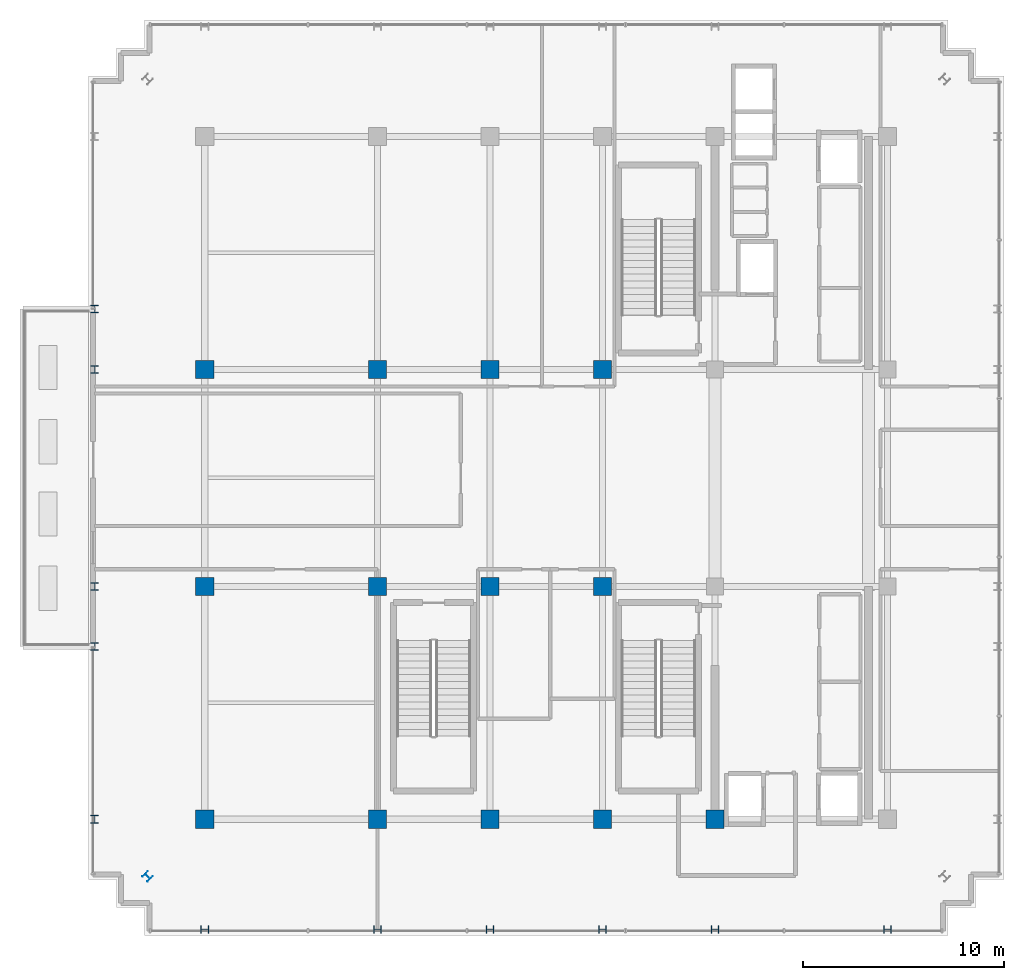
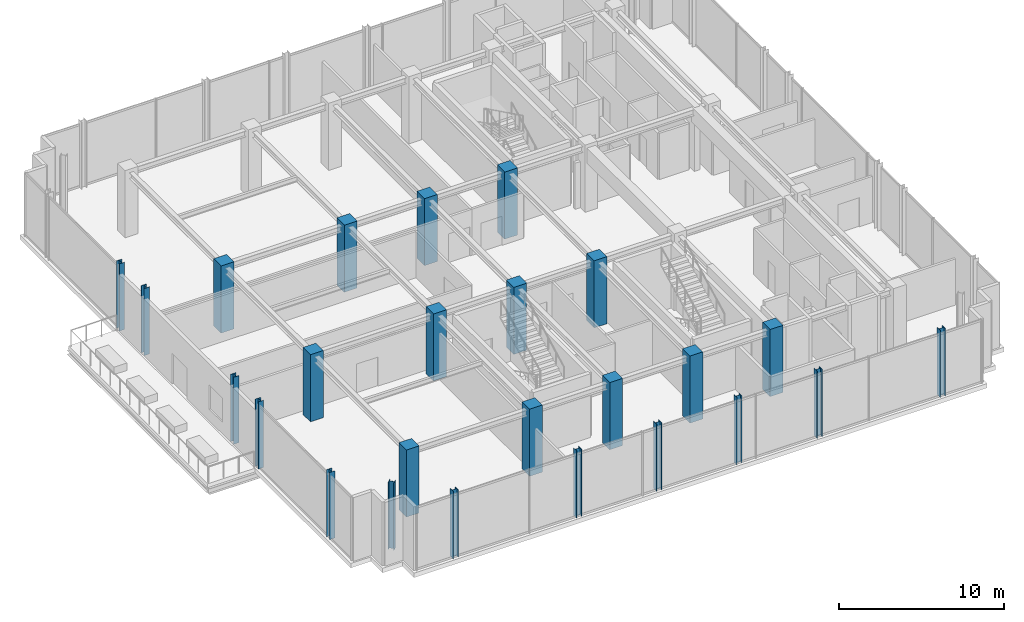
# One storey, part 1 of 28: 25 columns.
"""IFC4 building model written with IfcOpenShell, lengths in metres."""

from ifc_helpers import new_model, si_unit, direction, frame, origin, origin_2d, place, context, subcontext, project, spatial, rectangle, i_section, extrude, source, transform, mapped, material, material_profile, profile_set, type_object, element, save


model = new_model("IFC4")

# Units and contexts
model_context = context("Model", 3, precision=1e-05, world=origin(), true_north=direction((0.0, 1.0)))
body_context = subcontext(model_context, "Body", "Model", "MODEL_VIEW")
ifc_project = project(units=[si_unit("LENGTHUNIT", "METRE"), si_unit("AREAUNIT", "SQUARE_METRE"), si_unit("VOLUMEUNIT", "CUBIC_METRE"), si_unit("PLANEANGLEUNIT", "RADIAN"), si_unit("MASSUNIT", "GRAM", prefix="KILO")], contexts=[model_context])

# Site, building, storey
site_placement = place(None, origin())
site = spatial("IfcSite", under=ifc_project, at=site_placement, CompositionType="ELEMENT")
building_placement = place(site_placement, origin())
building = spatial("IfcBuilding", under=site, at=building_placement, Name="Nahalor Promenade Grand Hotel", CompositionType="ELEMENT")
storey_placement = place(building_placement, frame((0.0, 0.0, 352.050048828125)))
storey = spatial("IfcBuildingStorey", under=building, at=storey_placement, Name="L90", CompositionType="ELEMENT", Elevation=352.050048828125)

# Columns
ifc_material_1 = material(Name="Concrete B-50 (C40/50)", Category="concrete")
ifc_material_profile_1 = material_profile(ifc_material_1, rectangle(XDim=0.9, YDim=0.9, at=origin_2d()), Name="RC 900x900")
ifc_profile_set_1 = profile_set([ifc_material_profile_1], Name="Concrete B-50 (C40/50)")
column_type_1 = type_object("IfcColumnType", Name="Col-RC-900", PredefinedType="COLUMN", material=ifc_profile_set_1)
shared_shape_1 = source(origin(), body_context, "Body", "SweptSolid", [
    extrude(rectangle(XDim=0.9, YDim=0.9, at=origin_2d()), origin(), (0.0, 0.0, 1.0), 4.954833984375),
])
for number, where, z_axis, x_axis, name in (
    (1, (-17.0, -17.0, 0.0), (0.0, 0.0, 1.0), (1.0, 0.0, 0.0), "COL-L90-I00"),
    (2, (-17.0, -5.39990234375, 0.0), (0.0, 0.0, 1.0), (1.0, 0.0, 0.0), "COL-L90-I01"),
    (3, (-17.0, 5.39990234375, 0.0), (0.0, 0.0, 1.0), (1.0, 0.0, 0.0), "COL-L90-I02"),
    (4, (-8.39990234375, -17.0, 0.0), (0.0, 0.0, 1.0), (1.0, 0.0, 0.0), "COL-L90-I10"),
    (5, (-8.39990234375, -5.39990234375, 0.0), (0.0, 0.0, 1.0), (1.0, 0.0, 0.0), "COL-L90-I11"),
    (6, (-8.39990234375, 5.39990234375, 0.0), (0.0, 0.0, 1.0), (1.0, 0.0, 0.0), "COL-L90-I12"),
    (7, (-2.800048828125, -17.0, 0.0), (0.0, 0.0, 1.0), (1.0, 0.0, 0.0), "COL-L90-I20"),
    (8, (-2.800048828125, -5.39990234375, 0.0), (0.0, 0.0, 1.0), (1.0, 0.0, 0.0), "COL-L90-I21"),
    (9, (-2.800048828125, 5.39990234375, 0.0), (0.0, 0.0, 1.0), (1.0, 0.0, 0.0), "COL-L90-I22"),
    (10, (2.800048828125, -17.0, 0.0), (0.0, 0.0, 1.0), (1.0, 0.0, 0.0), "COL-L90-I30"),
    (11, (2.800048828125, -5.39990234375, 0.0), (0.0, 0.0, 1.0), (1.0, 0.0, 0.0), "COL-L90-I31"),
    (12, (2.800048828125, 5.39990234375, 0.0), (0.0, 0.0, 1.0), (1.0, 0.0, 0.0), "COL-L90-I32"),
    (13, (8.39990234375, -17.0, 0.0), (0.0, 0.0, 1.0), (1.0, 0.0, 0.0), "COL-L90-I40"),
):
    element("IfcColumn", number, at=place(storey_placement, frame(where, z_axis=z_axis, x_axis=x_axis)), inside=storey, type_object=column_type_1, Name=name, PredefinedType="COLUMN", context=body_context, shape_type="MappedRepresentation", body=[
        mapped(shared_shape_1, transform((0.0, 0.0, 0.0), scale=1.0)),
    ])
ifc_material_2 = material(Name="Steel S355JR", Category="steel")
ifc_material_profile_2 = material_profile(ifc_material_2, i_section(OverallWidth=0.374, OverallDepth=0.374, WebThickness=0.0144, FlangeThickness=0.0229, at=origin_2d()), Name="HD 360x262")
ifc_profile_set_2 = profile_set([ifc_material_profile_2], Name="Steel S355JR")
column_type_2 = type_object("IfcColumnType", Name="Col-Steel-HD262", PredefinedType="COLUMN", material=ifc_profile_set_2)
shared_shape_2 = source(origin(), body_context, "Body", "SweptSolid", [
    extrude(i_section(OverallWidth=0.374, OverallDepth=0.374, WebThickness=0.0144, FlangeThickness=0.0229, at=origin_2d()), origin(), (0.0, 0.0, 1.0), 4.954833984375),
])
for number, where, z_axis, x_axis, name in (
    (14, (-22.47998046875, -17.0, 0.0), (0.0, 0.0, 1.0), (1.0, 0.0, 0.0), "COL-L90-PW-W0"),
    (15, (-22.47998046875, -8.39990234375, 0.0), (0.0, 0.0, 1.0), (1.0, 0.0, 0.0), "COL-L90-PW-W1"),
    (16, (-22.47998046875, -5.39990234375, 0.0), (0.0, 0.0, 1.0), (1.0, 0.0, 0.0), "COL-L90-PW-W2"),
    (17, (-22.47998046875, 5.39990234375, 0.0), (0.0, 0.0, 1.0), (1.0, 0.0, 0.0), "COL-L90-PW-W3"),
    (18, (-22.47998046875, 8.39990234375, 0.0), (0.0, 0.0, 1.0), (1.0, 0.0, 0.0), "COL-L90-PW-W4"),
    (19, (-17.0, -22.47998046875, 0.0), (0.0, 0.0, 1.0), (0.0, 1.0, 0.0), "COL-L90-PN-S0"),
    (20, (-8.39990234375, -22.47998046875, 0.0), (0.0, 0.0, 1.0), (0.0, 1.0, 0.0), "COL-L90-PN-S1"),
    (21, (-2.800048828125, -22.47998046875, 0.0), (0.0, 0.0, 1.0), (0.0, 1.0, 0.0), "COL-L90-PN-S2"),
    (22, (2.800048828125, -22.47998046875, 0.0), (0.0, 0.0, 1.0), (0.0, 1.0, 0.0), "COL-L90-PN-S3"),
    (23, (8.39990234375, -22.47998046875, 0.0), (0.0, 0.0, 1.0), (0.0, 1.0, 0.0), "COL-L90-PN-S4"),
    (24, (17.0, -22.47998046875, 0.0), (0.0, 0.0, 1.0), (0.0, 1.0, 0.0), "COL-L90-PN-S5"),
    (25, (-19.85009765625, -19.85009765625, 0.0), (0.0, 0.0, 1.0), (0.707106781187, 0.707106781187, 0.0), "COL-L90-CRN-SW"),
):
    element("IfcColumn", number, at=place(storey_placement, frame(where, z_axis=z_axis, x_axis=x_axis)), inside=storey, type_object=column_type_2, Name=name, PredefinedType="COLUMN", context=body_context, shape_type="MappedRepresentation", body=[
        mapped(shared_shape_2, transform((0.0, 0.0, 0.0), scale=1.0)),
    ])

save(model, "model.ifc")
